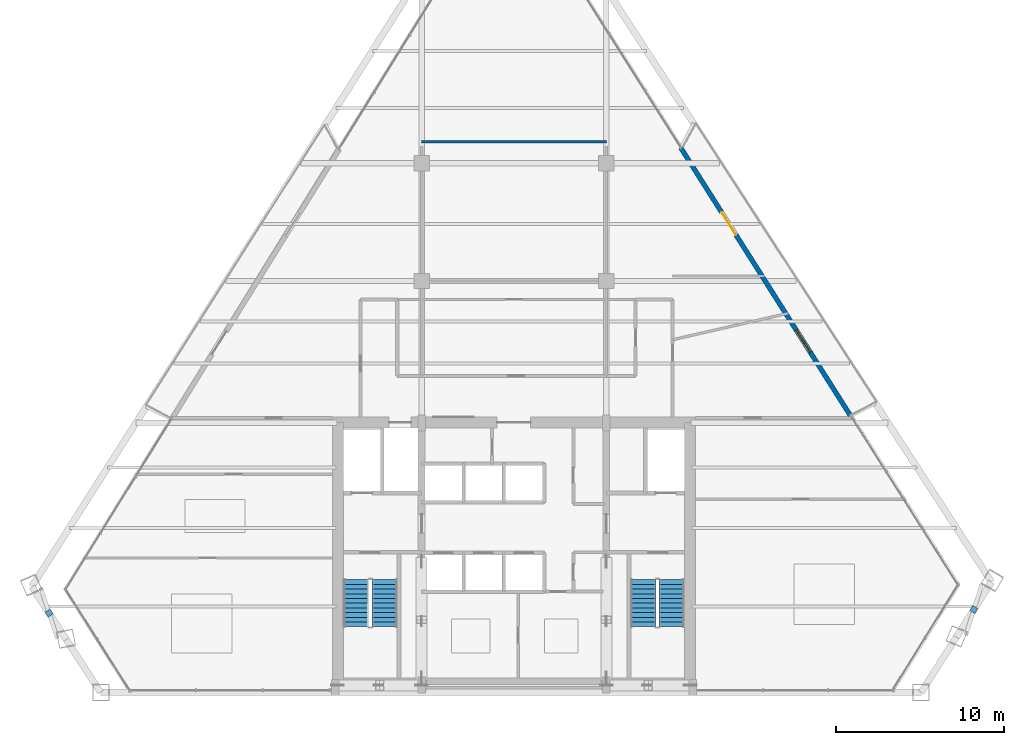
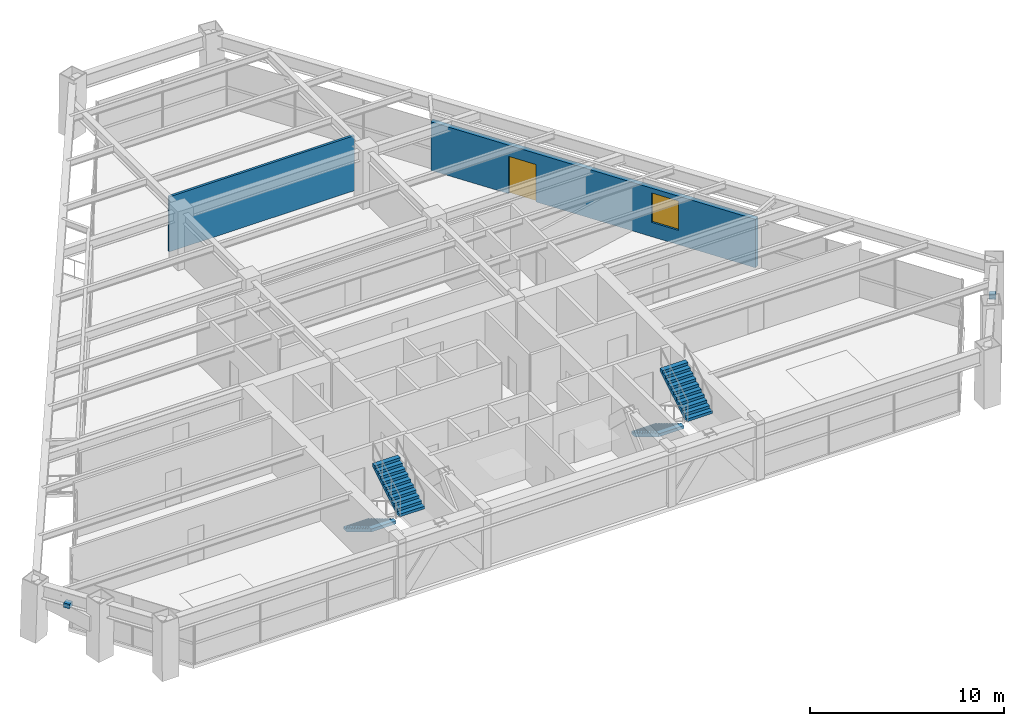
# One storey, part 13 of 15: 4 stair flights, 2 discrete accessories, 2 walls, 1 door, 1 window, 2 openings, 2 elements without a shape of their own.
"""IFC4 building model written with IfcOpenShell, lengths in metres."""

from ifc_helpers import new_model, si_unit, direction, frame, frame_2d, origin, origin_2d, place, context, subcontext, project, spatial, polyline, rectangle, outline, extrude, source, transform, mapped, material, layer, layer_set, type_object, type_shapes, element, fill, aggregate, save


model = new_model("IFC4")

# Units and contexts
model_context = context("Model", 3, precision=1e-05, world=origin(), true_north=direction((0.0, 1.0)))
body_context = subcontext(model_context, "Body", "Model", "MODEL_VIEW")
ifc_project = project(units=[si_unit("LENGTHUNIT", "METRE"), si_unit("AREAUNIT", "SQUARE_METRE"), si_unit("VOLUMEUNIT", "CUBIC_METRE"), si_unit("PLANEANGLEUNIT", "RADIAN"), si_unit("MASSUNIT", "GRAM", prefix="KILO")], contexts=[model_context])

# Site, building, storey
site_placement = place(None, origin())
site = spatial("IfcSite", under=ifc_project, at=site_placement, CompositionType="ELEMENT")
building_placement = place(site_placement, origin())
building = spatial("IfcBuilding", under=site, at=building_placement, Name="Varnakhor Terracotta Tower", CompositionType="ELEMENT")
storey_placement = place(building_placement, frame((0.0, 0.0, 185.800048828125)))
storey = spatial("IfcBuildingStorey", under=building, at=storey_placement, Name="L47", CompositionType="ELEMENT", Elevation=185.800048828125)

# Wall, openings, door, window
ifc_material_1 = material(Name="Extruded Architectural Terracotta Assembly", Category="masonry")
ifc_layer_1 = layer(ifc_material_1, 0.280029296875, Name="Extruded Architectural Terracotta Assembly")
ifc_layer_set_1 = layer_set([ifc_layer_1], Name="Extruded Architectural Terracotta Assembly")
wall_type_1 = type_object("IfcWallType", Name="WAL-EXT-TERRACOTTA-280", PredefinedType="SOLIDWALL", material=ifc_layer_set_1)
wall_1_placement = place(storey_placement, frame((9.94287109375, 32.421875, 0.0), z_axis=(0.0, 0.0, 1.0), x_axis=(0.535123469973, -0.844773858428, 0.0)))
wall_1 = element("IfcWall", 1, at=wall_1_placement, inside=storey, type_object=wall_type_1, Name="L47 E Loggia Insulated Terracotta Wall", PredefinedType="SOLIDWALL", context=body_context, shape_type="SweptSolid", body=[
    extrude(rectangle(XDim=18.875244140625, YDim=0.280029296875, at=frame_2d((9.4375, 0.0))), origin(), (0.0, 0.0, 1.0), 3.050048828125),
])
opening_1_placement = place(wall_1_placement, frame((4.530029296875, 0.0, 0.0)))
opening_1 = element("IfcOpeningElement", 2, at=opening_1_placement, cuts=wall_1, Name="Opening DR-62", PredefinedType="OPENING", context=body_context, shape_type="SweptSolid", body=[
    extrude(rectangle(XDim=1.60009765625, YDim=2.35009765625, at=frame_2d((0.800048828125, 1.175048828125))), frame((0.0, 0.14990234375, 0.0), z_axis=(0.0, -1.0, 0.0), x_axis=(1.0, 0.0, 0.0)), (0.0, 0.0, 1.0), 0.300048828125),
])
opening_2_placement = place(wall_1_placement, frame((12.835205078125, 0.0, 0.89990234375)))
opening_2 = element("IfcOpeningElement", 3, at=opening_2_placement, cuts=wall_1, Name="Opening WN-57", PredefinedType="OPENING", context=body_context, shape_type="SweptSolid", body=[
    extrude(rectangle(XDim=1.550048828125, YDim=1.85009765625, at=frame_2d((0.77490234375, 0.925048828125))), frame((0.0, 0.14990234375, 0.0), z_axis=(0.0, -1.0, 0.0), x_axis=(1.0, 0.0, 0.0)), (0.0, 0.0, 1.0), 0.300048828125),
])
ifc_material_2 = material(Name="Thermally Broken Sliding Glass Loggia Door", Category="glass")
door_type = type_object("IfcDoorType", Name="DR-EXT-LOGGIA-1600X2350", OperationType="NOTDEFINED", PredefinedType="DOOR", material=ifc_material_2)
shared_shape_1 = source(origin(), body_context, "Body", "SweptSolid", [
    extrude(rectangle(XDim=1.60009765625, YDim=2.35009765625, at=frame_2d((0.800048828125, 1.175048828125))), frame((0.0, 0.02490234375, 0.0), z_axis=(0.0, -1.0, 0.0), x_axis=(1.0, 0.0, 0.0)), (0.0, 0.0, 1.0), 0.050048828125),
])
type_shapes(door_type, [shared_shape_1])
door_placement = place(opening_1_placement, origin())
door = element("IfcDoor", 4, at=door_placement, inside=storey, type_object=door_type, Name="L47 E Recessed Loggia Sliding Door", OperationType="SLIDING_TO_RIGHT", OverallHeight=2.35009765625, OverallWidth=1.60009765625, PredefinedType="DOOR", context=body_context, shape_type="MappedRepresentation", body=[
    mapped(shared_shape_1, transform((0.0, 0.0, 0.0), scale=1.0)),
])
fill(opening_1, door)
ifc_material_3 = material(Name="Solar-Control Low-E Insulated Glass Unit", Category="glass")
window_type = type_object("IfcWindowType", Name="WIN-OFF-1650X2100", PartitioningType="SINGLE_PANEL", PredefinedType="WINDOW", material=ifc_material_3)
shared_shape_2 = source(origin(), body_context, "Body", "SweptSolid", [
    extrude(rectangle(XDim=1.550048828125, YDim=1.85009765625, at=frame_2d((0.77490234375, 0.925048828125))), frame((0.0, 0.030029296875, 0.0), z_axis=(0.0, -1.0, 0.0), x_axis=(1.0, 0.0, 0.0)), (0.0, 0.0, 1.0), 0.06005859375),
])
type_shapes(window_type, [shared_shape_2])
window_placement = place(opening_2_placement, origin())
window = element("IfcWindow", 5, at=window_placement, inside=storey, type_object=window_type, Name="L47 E Facet Punched Window", OverallHeight=1.85009765625, OverallWidth=1.550048828125, PartitioningType="SINGLE_PANEL", PredefinedType="WINDOW", context=body_context, shape_type="MappedRepresentation", body=[
    mapped(shared_shape_2, transform((0.0, 0.0, 0.0), scale=1.0)),
])
fill(opening_2, window)

# Wall
ifc_material_4 = material(Name="Acoustic Metal-Stud Partition", Category="gypsum")
ifc_layer_2 = layer(ifc_material_4, 0.139892578125, Name="Acoustic Metal-Stud Partition")
ifc_layer_set_2 = layer_set([ifc_layer_2], Name="Acoustic Metal-Stud Partition")
wall_type_2 = type_object("IfcWallType", Name="WAL-PART-140", PredefinedType="PARTITIONING", material=ifc_layer_set_2)
wall_2_placement = place(storey_placement, frame((-5.5, 32.800048828125, 0.0), z_axis=(0.0, 0.0, 1.0), x_axis=(1.0, 0.0, 0.0)))
element("IfcWall", 6, at=wall_2_placement, inside=storey, type_object=wall_type_2, Name="L47 Center Cross Cut 2", PredefinedType="PARTITIONING", context=body_context, shape_type="SweptSolid", body=[
    extrude(rectangle(XDim=11.0, YDim=0.139892578125, at=frame_2d((5.5, 0.0))), origin(), (0.0, 0.0, 1.0), 3.4619140625),
])

# Stair, stair flights
ifc_material_5 = material(Name="Concrete C40/50", Category="concrete")
stair_type = type_object("IfcStairType", Name="STR-CORE-OFFICE-1500", PredefinedType="HALF_TURN_STAIR", material=ifc_material_5)
stair_1_placement = place(storey_placement, origin())
stair_1 = element("IfcStair", 7, at=stair_1_placement, inside=storey, type_object=stair_type, Name="L47 Core Exit Stair ST-1", PredefinedType="HALF_TURN_STAIR")
stair_flight_type = type_object("IfcStairFlightType", Name="FLT-CORE-1500", PredefinedType="STRAIGHT", material=ifc_material_5)
stair_flight_1_placement = place(storey_placement, frame((-9.39990234375, 6.7099609375, 0.0), z_axis=(0.0, 0.0, 1.0), x_axis=(0.0, -1.0, 0.0)))
stair_flight_1 = element("IfcStairFlight", 8, at=stair_flight_1_placement, type_object=stair_flight_type, Name="ST-1 flight 1", NumberOfRisers=11, NumberOfTreads=10, PredefinedType="STRAIGHT", RiserHeight=0.168181818, TreadLength=0.28, context=body_context, shape_type="SweptSolid", body=[
    extrude(outline(polyline([(0.0, 0.0), (0.0, 0.168212890625), (0.280029296875, 0.168212890625), (0.280029296875, 0.33642578125), (0.56005859375, 0.33642578125), (0.56005859375, 0.504638671875), (0.840087890625, 0.504638671875), (0.840087890625, 0.672607421875), (1.1201171875, 0.672607421875), (1.1201171875, 0.8408203125), (1.39990234375, 0.8408203125), (1.39990234375, 1.009033203125), (1.679931640625, 1.009033203125), (1.679931640625, 1.17724609375), (1.9599609375, 1.17724609375), (1.9599609375, 1.345458984375), (2.239990234375, 1.345458984375), (2.239990234375, 1.513671875), (2.52001953125, 1.513671875), (2.52001953125, 1.681884765625), (2.800048828125, 1.681884765625), (2.800048828125, 1.85009765625), (2.800048828125, 1.495361328125), (0.310546875, 0.0), (0.0, 0.0)])), frame((0.0, 0.75, 0.0), z_axis=(0.0, -1.0, 0.0), x_axis=(1.0, 0.0, 0.0)), (0.0, 0.0, 1.0), 1.5),
])
stair_flight_2_placement = place(storey_placement, frame((-7.699951171875, 3.909912109375, 1.849853515625), z_axis=(0.0, 0.0, 1.0), x_axis=(0.0, 1.0, 0.0)))
stair_flight_2 = element("IfcStairFlight", 9, at=stair_flight_2_placement, type_object=stair_flight_type, Name="ST-1 flight 2", NumberOfRisers=11, NumberOfTreads=10, PredefinedType="STRAIGHT", RiserHeight=0.168181818, TreadLength=0.28, context=body_context, shape_type="SweptSolid", body=[
    extrude(outline(polyline([(0.0, 0.0), (0.0, 0.168212890625), (0.280029296875, 0.168212890625), (0.280029296875, 0.33642578125), (0.56005859375, 0.33642578125), (0.56005859375, 0.504638671875), (0.840087890625, 0.504638671875), (0.840087890625, 0.672607421875), (1.1201171875, 0.672607421875), (1.1201171875, 0.8408203125), (1.39990234375, 0.8408203125), (1.39990234375, 1.009033203125), (1.679931640625, 1.009033203125), (1.679931640625, 1.17724609375), (1.9599609375, 1.17724609375), (1.9599609375, 1.345458984375), (2.239990234375, 1.345458984375), (2.239990234375, 1.513671875), (2.52001953125, 1.513671875), (2.52001953125, 1.681884765625), (2.800048828125, 1.681884765625), (2.800048828125, 1.85009765625), (2.800048828125, 1.495361328125), (0.310546875, 0.0), (0.0, 0.0)])), frame((0.0, 0.75, 0.0), z_axis=(0.0, -1.0, 0.0), x_axis=(1.0, 0.0, 0.0)), (0.0, 0.0, 1.0), 1.5),
])
aggregate(stair_1, [stair_flight_1, stair_flight_2])

stair_2_placement = place(storey_placement, origin())
stair_2 = element("IfcStair", 10, at=stair_2_placement, inside=storey, type_object=stair_type, Name="L47 Core Exit Stair ST-2", PredefinedType="HALF_TURN_STAIR")
stair_flight_3_placement = place(storey_placement, frame((7.699951171875, 6.7099609375, 0.0), z_axis=(0.0, 0.0, 1.0), x_axis=(0.0, -1.0, 0.0)))
stair_flight_3 = element("IfcStairFlight", 11, at=stair_flight_3_placement, type_object=stair_flight_type, Name="ST-2 flight 1", NumberOfRisers=11, NumberOfTreads=10, PredefinedType="STRAIGHT", RiserHeight=0.168181818, TreadLength=0.28, context=body_context, shape_type="SweptSolid", body=[
    extrude(outline(polyline([(0.0, 0.0), (0.0, 0.168212890625), (0.280029296875, 0.168212890625), (0.280029296875, 0.33642578125), (0.56005859375, 0.33642578125), (0.56005859375, 0.504638671875), (0.840087890625, 0.504638671875), (0.840087890625, 0.672607421875), (1.1201171875, 0.672607421875), (1.1201171875, 0.8408203125), (1.39990234375, 0.8408203125), (1.39990234375, 1.009033203125), (1.679931640625, 1.009033203125), (1.679931640625, 1.17724609375), (1.9599609375, 1.17724609375), (1.9599609375, 1.345458984375), (2.239990234375, 1.345458984375), (2.239990234375, 1.513671875), (2.52001953125, 1.513671875), (2.52001953125, 1.681884765625), (2.800048828125, 1.681884765625), (2.800048828125, 1.85009765625), (2.800048828125, 1.495361328125), (0.310546875, 0.0), (0.0, 0.0)])), frame((0.0, 0.75, 0.0), z_axis=(0.0, -1.0, 0.0), x_axis=(1.0, 0.0, 0.0)), (0.0, 0.0, 1.0), 1.5),
])
stair_flight_4_placement = place(storey_placement, frame((9.39990234375, 3.909912109375, 1.849853515625), z_axis=(0.0, 0.0, 1.0), x_axis=(0.0, 1.0, 0.0)))
stair_flight_4 = element("IfcStairFlight", 12, at=stair_flight_4_placement, type_object=stair_flight_type, Name="ST-2 flight 2", NumberOfRisers=11, NumberOfTreads=10, PredefinedType="STRAIGHT", RiserHeight=0.168181818, TreadLength=0.28, context=body_context, shape_type="SweptSolid", body=[
    extrude(outline(polyline([(0.0, 0.0), (0.0, 0.168212890625), (0.280029296875, 0.168212890625), (0.280029296875, 0.33642578125), (0.56005859375, 0.33642578125), (0.56005859375, 0.504638671875), (0.840087890625, 0.504638671875), (0.840087890625, 0.672607421875), (1.1201171875, 0.672607421875), (1.1201171875, 0.8408203125), (1.39990234375, 0.8408203125), (1.39990234375, 1.009033203125), (1.679931640625, 1.009033203125), (1.679931640625, 1.17724609375), (1.9599609375, 1.17724609375), (1.9599609375, 1.345458984375), (2.239990234375, 1.345458984375), (2.239990234375, 1.513671875), (2.52001953125, 1.513671875), (2.52001953125, 1.681884765625), (2.800048828125, 1.681884765625), (2.800048828125, 1.85009765625), (2.800048828125, 1.495361328125), (0.310546875, 0.0), (0.0, 0.0)])), frame((0.0, 0.75, 0.0), z_axis=(0.0, -1.0, 0.0), x_axis=(1.0, 0.0, 0.0)), (0.0, 0.0, 1.0), 1.5),
])
aggregate(stair_2, [stair_flight_3, stair_flight_4])

# Discrete accessories
ifc_material_6 = material(Name="Stainless Steel Fixing Bracket", Category="steel")
discrete_accessory_type = type_object("IfcDiscreteAccessoryType", Name="BRACKET-TERRACOTTA-SCREEN", PredefinedType="BRACKET", material=ifc_material_6)
shared_shape_3 = source(origin(), body_context, "Body", "SweptSolid", [
    extrude(rectangle(XDim=0.35009765625, YDim=0.35009765625, at=origin_2d()), origin(), (0.0, 0.0, 1.0), 0.280029296875),
])
type_shapes(discrete_accessory_type, [shared_shape_3])
for number, where, z_axis, x_axis, name in (
    (13, (27.392333984375, 4.93359375, 2.48486328125), (0.0, 0.0, 1.0), (0.536313004052, 0.844019171396, 0.0), "L47 E Screen Fixing Bracket"),
    (14, (-27.688232421875, 4.720703125, 2.48486328125), (0.0, 0.0, 1.0), (0.544697583939, -0.838632542924, 0.0), "L47 W Screen Fixing Bracket"),
):
    element("IfcDiscreteAccessory", number, at=place(storey_placement, frame(where, z_axis=z_axis, x_axis=x_axis)), inside=storey, type_object=discrete_accessory_type, Name=name, PredefinedType="BRACKET", context=body_context, shape_type="MappedRepresentation", body=[
        mapped(shared_shape_3, transform((0.0, 0.0, 0.0), scale=1.0)),
    ])

save(model, "model.ifc")
